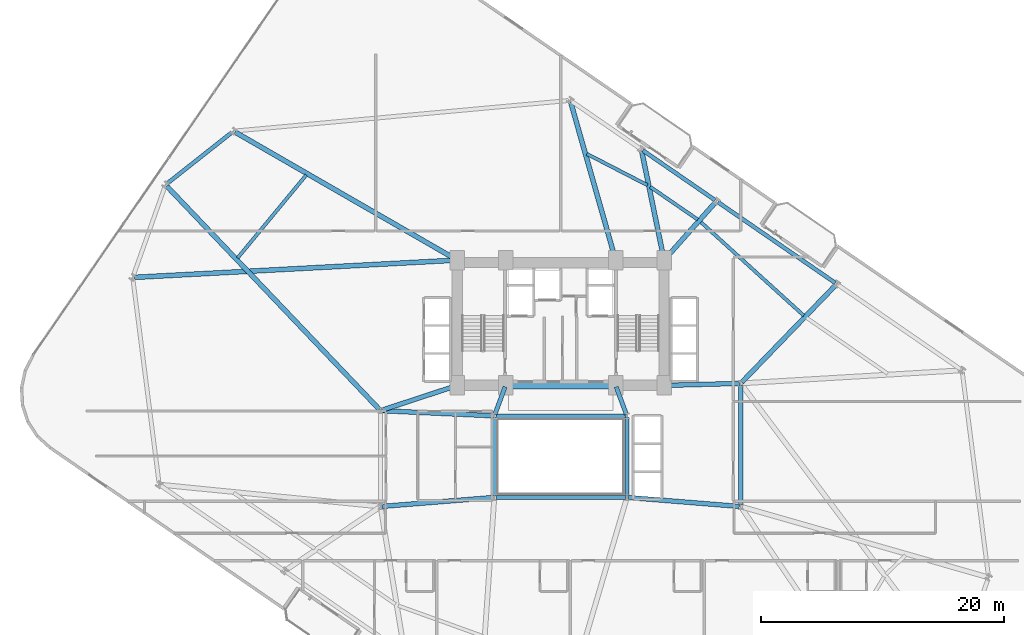
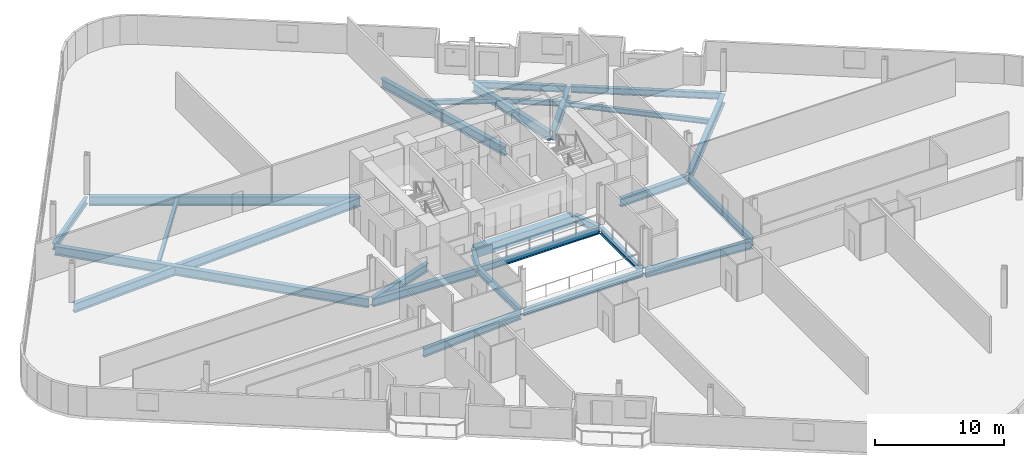
# One storey, part 5 of 24: 27 beams.
"""IFC4 building model written with IfcOpenShell, lengths in metres."""

from ifc_helpers import new_model, si_unit, direction, frame, origin, origin_2d, place, context, subcontext, project, spatial, rectangle, i_section, extrude, material, material_profile, profile_set, type_object, element, save


model = new_model("IFC4")

# Units and contexts
model_context = context("Model", 3, precision=1e-05, world=origin(), true_north=direction((0.0, 1.0)))
body_context = subcontext(model_context, "Body", "Model", "MODEL_VIEW")
ifc_project = project(units=[si_unit("LENGTHUNIT", "METRE"), si_unit("AREAUNIT", "SQUARE_METRE"), si_unit("VOLUMEUNIT", "CUBIC_METRE"), si_unit("PLANEANGLEUNIT", "RADIAN"), si_unit("MASSUNIT", "GRAM", prefix="KILO")], contexts=[model_context])

# Site, building, storey
site_placement = place(None, origin())
site = spatial("IfcSite", under=ifc_project, at=site_placement, CompositionType="ELEMENT")
building_placement = place(site_placement, origin())
building = spatial("IfcBuilding", under=site, at=building_placement, Name="Varnelok Gate Tower", CompositionType="ELEMENT")
storey_placement = place(building_placement, frame((0.0, 0.0, 38.10009765625)))
storey = spatial("IfcBuildingStorey", under=building, at=storey_placement, Name="L08", CompositionType="ELEMENT", Elevation=38.10009765625)

# Beams
ifc_material_1 = material(Name="Structural Steel ASTM A992 Grade 50", Category="steel")
ifc_material_profile_1 = material_profile(ifc_material_1, i_section(OverallWidth=0.280029296875, OverallDepth=0.462890625, WebThickness=0.0107421875, FlangeThickness=0.017333984375, FilletRadius=0.014892578125, at=origin_2d()), Name="W18X76")
ifc_profile_set_1 = profile_set([ifc_material_profile_1], Name="Structural Steel ASTM A992 Grade 50")
beam_type_1 = type_object("IfcBeamType", Name="BM-JST-W18X76", PredefinedType="JOIST", material=ifc_profile_set_1)
beam_1_placement = place(storey_placement, frame((59.18359375, 34.48681640625, -0.481689453125), z_axis=(-0.740168206595, 0.672421761952, 0.0), x_axis=(-0.672421761952, -0.740168206595, 0.0)))
element("IfcBeam", 1, at=beam_1_placement, inside=storey, type_object=beam_type_1, Name="L08 Sector Floor Joist 8", PredefinedType="JOIST", context=body_context, shape_type="SweptSolid", body=[
    extrude(i_section(OverallWidth=0.280029296875, OverallDepth=0.462890625, WebThickness=0.0107421875, FlangeThickness=0.017333984375, FilletRadius=0.014892578125, at=origin_2d()), origin(), (0.0, 0.0, 1.0), 11.474365234375),
])
beam_2_placement = place(storey_placement, frame((50.4716796875, 42.375732421875, -0.481689453125), z_axis=(-0.8235401836, 0.567257936036, 0.0), x_axis=(-0.567257936036, -0.8235401836, 0.0)))
element("IfcBeam", 2, at=beam_2_placement, inside=storey, type_object=beam_type_1, Name="L08 Sector Floor Joist 9", PredefinedType="JOIST", context=body_context, shape_type="SweptSolid", body=[
    extrude(i_section(OverallWidth=0.280029296875, OverallDepth=0.462890625, WebThickness=0.0107421875, FlangeThickness=0.017333984375, FilletRadius=0.014892578125, at=origin_2d()), origin(), (0.0, 0.0, 1.0), 4.7451171875),
])
beam_3_placement = place(storey_placement, frame((46.32421875, 45.211181640625, -0.481689453125), z_axis=(-0.888711678979, 0.458466521837, 0.0), x_axis=(-0.458466521837, -0.888711678979, 0.0)))
element("IfcBeam", 3, at=beam_3_placement, inside=storey, type_object=beam_type_1, Name="L08 Sector Floor Joist 10", PredefinedType="JOIST", context=body_context, shape_type="SweptSolid", body=[
    extrude(i_section(OverallWidth=0.280029296875, OverallDepth=0.462890625, WebThickness=0.0107421875, FlangeThickness=0.017333984375, FilletRadius=0.014892578125, at=origin_2d()), origin(), (0.0, 0.0, 1.0), 5.605712890625),
])
beam_4_placement = place(storey_placement, frame((18.29296875, 46.04248046875, -0.481689453125), z_axis=(-0.637405145463, -0.770528831736, 0.0), x_axis=(0.770528831736, -0.637405145463, 0.0)))
element("IfcBeam", 4, at=beam_4_placement, inside=storey, type_object=beam_type_1, Name="L08 Sector Floor Joist 11", PredefinedType="JOIST", context=body_context, shape_type="SweptSolid", body=[
    extrude(i_section(OverallWidth=0.280029296875, OverallDepth=0.462890625, WebThickness=0.0107421875, FlangeThickness=0.017333984375, FilletRadius=0.014892578125, at=origin_2d()), origin(), (0.0, 0.0, 1.0), 8.8525390625),
])
ifc_material_2 = material(Name="Concrete C60/75", Category="concrete")
ifc_material_profile_2 = material_profile(ifc_material_2, rectangle(XDim=0.60009765625, YDim=0.949951171875, at=origin_2d()), Name="RC950X600")
ifc_profile_set_2 = profile_set([ifc_material_profile_2], Name="Concrete C60/75")
beam_type_2 = type_object("IfcBeamType", Name="BM-LNT-RC950", PredefinedType="LINTEL", material=ifc_profile_set_2)
beam_5_placement = place(storey_placement, frame((34.800048828125, 28.75, -0.72509765625), z_axis=(1.0, 0.0, 0.0), x_axis=(0.0, 1.0, 0.0)))
element("IfcBeam", 5, at=beam_5_placement, inside=storey, type_object=beam_type_2, Name="L08 Core-Atrium Spine Beam 7", PredefinedType="LINTEL", context=body_context, shape_type="SweptSolid", body=[
    extrude(rectangle(XDim=0.60009765625, YDim=0.949951171875, at=origin_2d()), origin(), (0.0, 0.0, 1.0), 8.800048828125),
])
ifc_material_profile_3 = material_profile(ifc_material_1, i_section(OverallWidth=0.35498046875, OverallDepth=0.696044921875, WebThickness=0.015380859375, FlangeThickness=0.02490234375, FilletRadius=0.02001953125, at=origin_2d()), Name="W27X146")
ifc_profile_set_3 = profile_set([ifc_material_profile_3], Name="Structural Steel ASTM A992 Grade 50")
beam_type_3 = type_object("IfcBeamType", Name="BM-PRI-W27X146", PredefinedType="BEAM", material=ifc_profile_set_3)
for number, where, z_axis, x_axis, name in (
    (6, (33.791748046875, 26.362548828125, -0.59814453125), (0.348719329408, 0.937227202602, 0.0), (-0.937227202602, 0.348719329408, 0.0), "L08 Core-Atrium Spine Beam 12"),
    (7, (44.608154296875, 26.362548828125, -0.59814453125), (-0.348719329408, 0.937227202602, 0.0), (-0.937227202602, -0.348719329408, 0.0), "L08 Core-Atrium Spine Beam 13"),
):
    element("IfcBeam", number, at=place(storey_placement, frame(where, z_axis=z_axis, x_axis=x_axis)), inside=storey, type_object=beam_type_3, Name=name, PredefinedType="BEAM", context=body_context, shape_type="SweptSolid", body=[
        extrude(i_section(OverallWidth=0.35498046875, OverallDepth=0.696044921875, WebThickness=0.015380859375, FlangeThickness=0.02490234375, FilletRadius=0.02001953125, at=origin_2d()), origin(), (0.0, 0.0, 1.0), 2.42724609375),
    ])
beam_6_placement = place(storey_placement, frame((54.0, 18.919921875, -0.59814453125), z_axis=(0.0, 1.0, 0.0), x_axis=(-1.0, 0.0, 0.0)))
element("IfcBeam", 8, at=beam_6_placement, inside=storey, type_object=beam_type_3, Name="L08 Core-Atrium Spine Beam 20", PredefinedType="BEAM", context=body_context, shape_type="SweptSolid", body=[
    extrude(i_section(OverallWidth=0.35498046875, OverallDepth=0.696044921875, WebThickness=0.015380859375, FlangeThickness=0.02490234375, FilletRadius=0.02001953125, at=origin_2d()), origin(), (0.0, 0.0, 1.0), 9.880126953125),
])
ifc_material_profile_4 = material_profile(ifc_material_1, i_section(OverallWidth=0.381103515625, OverallDepth=0.77294921875, WebThickness=0.0166015625, FlangeThickness=0.027099609375, FilletRadius=0.02197265625, at=origin_2d()), Name="W30X173")
ifc_profile_set_4 = profile_set([ifc_material_profile_4], Name="Structural Steel ASTM A992 Grade 50")
beam_type_4 = type_object("IfcBeamType", Name="BM-PRI-W30X173", PredefinedType="BEAM", material=ifc_profile_set_4)
beam_7_placement = place(storey_placement, frame((24.51953125, 18.8095703125, -0.63671875), z_axis=(0.996799206292, 0.07994587128, 0.0), x_axis=(-0.07994587128, 0.996799206292, 0.0)))
element("IfcBeam", 9, at=beam_7_placement, inside=storey, type_object=beam_type_4, Name="L08 Core-Atrium Spine Beam 14", PredefinedType="BEAM", context=body_context, shape_type="SweptSolid", body=[
    extrude(i_section(OverallWidth=0.381103515625, OverallDepth=0.77294921875, WebThickness=0.0166015625, FlangeThickness=0.027099609375, FilletRadius=0.02197265625, at=origin_2d()), origin(), (0.0, 0.0, 1.0), 9.14013671875),
])
beam_8_placement = place(storey_placement, frame((24.52001953125, 26.674560546875, -0.63671875), z_axis=(0.99894427814, -0.045938319209, 0.0), x_axis=(0.045938319209, 0.99894427814, 0.0)))
element("IfcBeam", 10, at=beam_8_placement, inside=storey, type_object=beam_type_4, Name="L08 Core-Atrium Spine Beam 15", PredefinedType="BEAM", context=body_context, shape_type="SweptSolid", body=[
    extrude(i_section(OverallWidth=0.381103515625, OverallDepth=0.77294921875, WebThickness=0.0166015625, FlangeThickness=0.027099609375, FilletRadius=0.02197265625, at=origin_2d()), origin(), (0.0, 0.0, 1.0), 9.11962890625),
])
beam_9_placement = place(storey_placement, frame((24.513916015625, 26.717529296875, -0.63671875), z_axis=(0.950041943788, 0.312122259768, 0.0), x_axis=(-0.312122259768, 0.950041943788, 0.0)))
element("IfcBeam", 11, at=beam_9_placement, inside=storey, type_object=beam_type_4, Name="L08 Core-Atrium Spine Beam 17", PredefinedType="BEAM", context=body_context, shape_type="SweptSolid", body=[
    extrude(i_section(OverallWidth=0.381103515625, OverallDepth=0.77294921875, WebThickness=0.0166015625, FlangeThickness=0.027099609375, FilletRadius=0.02197265625, at=origin_2d()), origin(), (0.0, 0.0, 1.0), 6.391357421875),
])
beam_10_placement = place(storey_placement, frame((44.76953125, 19.540283203125, -0.63671875), z_axis=(0.996799206292, -0.07994587128, 0.0), x_axis=(0.07994587128, 0.996799206292, 0.0)))
element("IfcBeam", 12, at=beam_10_placement, inside=storey, type_object=beam_type_4, Name="L08 Core-Atrium Spine Beam 18", PredefinedType="BEAM", context=body_context, shape_type="SweptSolid", body=[
    extrude(i_section(OverallWidth=0.381103515625, OverallDepth=0.77294921875, WebThickness=0.0166015625, FlangeThickness=0.027099609375, FilletRadius=0.02197265625, at=origin_2d()), origin(), (0.0, 0.0, 1.0), 9.14013671875),
])
beam_11_placement = place(storey_placement, frame((47.820068359375, 28.753173828125, -0.63671875), z_axis=(0.999635880609, 0.026983443053, 0.0), x_axis=(-0.026983443053, 0.999635880609, 0.0)))
element("IfcBeam", 13, at=beam_11_placement, inside=storey, type_object=beam_type_4, Name="L08 Core-Atrium Spine Beam 19", PredefinedType="BEAM", context=body_context, shape_type="SweptSolid", body=[
    extrude(i_section(OverallWidth=0.381103515625, OverallDepth=0.77294921875, WebThickness=0.0166015625, FlangeThickness=0.027099609375, FilletRadius=0.02197265625, at=origin_2d()), origin(), (0.0, 0.0, 1.0), 6.06201171875),
])
ifc_material_profile_5 = material_profile(ifc_material_1, i_section(OverallWidth=0.39892578125, OverallDepth=0.85498046875, WebThickness=0.018310546875, FlangeThickness=0.029296875, FilletRadius=0.02392578125, at=origin_2d()), Name="W33X201")
ifc_profile_set_5 = profile_set([ifc_material_profile_5], Name="Structural Steel ASTM A992 Grade 50")
beam_type_5 = type_object("IfcBeamType", Name="BM-PRI-W33X201", PredefinedType="BEAM", material=ifc_profile_set_5)
beam_12_placement = place(storey_placement, frame((54.104248046875, 29.02783203125, -0.677490234375), z_axis=(0.694813956558, 0.719189520066, 0.0), x_axis=(-0.719189520066, 0.694813956558, 0.0)))
element("IfcBeam", 14, at=beam_12_placement, inside=storey, type_object=beam_type_5, Name="L08 Radial Floor Girder 10", PredefinedType="BEAM", context=body_context, shape_type="SweptSolid", body=[
    extrude(i_section(OverallWidth=0.39892578125, OverallDepth=0.85498046875, WebThickness=0.018310546875, FlangeThickness=0.029296875, FilletRadius=0.02392578125, at=origin_2d()), origin(), (0.0, 0.0, 1.0), 11.057373046875),
])
beam_13_placement = place(storey_placement, frame((47.7998046875, 39.162109375, -0.677490234375), z_axis=(0.664520653518, 0.747269898395, 0.0), x_axis=(-0.747269898395, 0.664520653518, 0.0)))
element("IfcBeam", 15, at=beam_13_placement, inside=storey, type_object=beam_type_5, Name="L08 Radial Floor Girder 11", PredefinedType="BEAM", context=body_context, shape_type="SweptSolid", body=[
    extrude(i_section(OverallWidth=0.39892578125, OverallDepth=0.85498046875, WebThickness=0.018310546875, FlangeThickness=0.029296875, FilletRadius=0.02392578125, at=origin_2d()), origin(), (0.0, 0.0, 1.0), 6.18408203125),
])
beam_14_placement = place(storey_placement, frame((47.669921875, 39.197021484375, -0.677490234375), z_axis=(-0.201054404261, 0.979580076628, 0.0), x_axis=(-0.979580076628, -0.201054404261, 0.0)))
element("IfcBeam", 16, at=beam_14_placement, inside=storey, type_object=beam_type_5, Name="L08 Radial Floor Girder 12", PredefinedType="BEAM", context=body_context, shape_type="SweptSolid", body=[
    extrude(i_section(OverallWidth=0.39892578125, OverallDepth=0.85498046875, WebThickness=0.018310546875, FlangeThickness=0.029296875, FilletRadius=0.02392578125, at=origin_2d()), origin(), (0.0, 0.0, 1.0), 8.989501953125),
])
beam_15_placement = place(storey_placement, frame((43.678955078125, 39.1943359375, -0.677490234375), z_axis=(-0.273636323057, 0.961833230193, 0.0), x_axis=(-0.961833230193, -0.273636323057, 0.0)))
element("IfcBeam", 17, at=beam_15_placement, inside=storey, type_object=beam_type_5, Name="L08 Radial Floor Girder 13", PredefinedType="BEAM", context=body_context, shape_type="SweptSolid", body=[
    extrude(i_section(OverallWidth=0.39892578125, OverallDepth=0.85498046875, WebThickness=0.018310546875, FlangeThickness=0.029296875, FilletRadius=0.02392578125, at=origin_2d()), origin(), (0.0, 0.0, 1.0), 13.348388671875),
])
beam_16_placement = place(storey_placement, frame((30.570068359375, 39.125, -0.677490234375), z_axis=(-0.866373398512, 0.499396770465, 0.0), x_axis=(-0.499396770465, -0.866373398512, 0.0)))
element("IfcBeam", 18, at=beam_16_placement, inside=storey, type_object=beam_type_5, Name="L08 Radial Floor Girder 14", PredefinedType="BEAM", context=body_context, shape_type="SweptSolid", body=[
    extrude(i_section(OverallWidth=0.39892578125, OverallDepth=0.85498046875, WebThickness=0.018310546875, FlangeThickness=0.029296875, FilletRadius=0.02392578125, at=origin_2d()), origin(), (0.0, 0.0, 1.0), 20.920166015625),
])
beam_17_placement = place(storey_placement, frame((24.296630859375, 26.78857421875, -0.677490234375), z_axis=(-0.68957548794, 0.72421381265, 0.0), x_axis=(-0.72421381265, -0.68957548794, 0.0)))
element("IfcBeam", 19, at=beam_17_placement, inside=storey, type_object=beam_type_5, Name="L08 Radial Floor Girder 15", PredefinedType="BEAM", context=body_context, shape_type="SweptSolid", body=[
    extrude(i_section(OverallWidth=0.39892578125, OverallDepth=0.85498046875, WebThickness=0.018310546875, FlangeThickness=0.029296875, FilletRadius=0.02392578125, at=origin_2d()), origin(), (0.0, 0.0, 1.0), 25.324462890625),
])
beam_18_placement = place(storey_placement, frame((30.55029296875, 39.0419921875, -0.677490234375), z_axis=(-0.998572952572, -0.053404666383, 0.0), x_axis=(0.053404666383, -0.998572952572, 0.0)))
element("IfcBeam", 20, at=beam_18_placement, inside=storey, type_object=beam_type_5, Name="L08 Radial Floor Girder 16", PredefinedType="BEAM", context=body_context, shape_type="SweptSolid", body=[
    extrude(i_section(OverallWidth=0.39892578125, OverallDepth=0.85498046875, WebThickness=0.018310546875, FlangeThickness=0.029296875, FilletRadius=0.02392578125, at=origin_2d()), origin(), (0.0, 0.0, 1.0), 26.405029296875),
])
ifc_material_profile_6 = material_profile(ifc_material_1, i_section(OverallWidth=0.323974609375, OverallDepth=0.611083984375, WebThickness=0.0126953125, FlangeThickness=0.01904296875, FilletRadius=0.01806640625, at=origin_2d()), Name="W24X104")
ifc_profile_set_6 = profile_set([ifc_material_profile_6], Name="Structural Steel ASTM A992 Grade 50")
beam_type_6 = type_object("IfcBeamType", Name="BM-SPN-W24X104", PredefinedType="SPANDREL", material=ifc_profile_set_6)
for number, where, z_axis, x_axis, name in (
    (21, (33.8701171875, 19.550048828125, -0.5556640625), (1.0, 0.0, 0.0), (0.0, 1.0, 0.0), "L08 Core-Atrium Spine Beam 8"),
    (22, (33.8701171875, 26.25, -0.5556640625), (1.0, 0.0, 0.0), (0.0, 1.0, 0.0), "L08 Core-Atrium Spine Beam 9"),
):
    element("IfcBeam", number, at=place(storey_placement, frame(where, z_axis=z_axis, x_axis=x_axis)), inside=storey, type_object=beam_type_6, Name=name, PredefinedType="SPANDREL", context=body_context, shape_type="SweptSolid", body=[
        extrude(i_section(OverallWidth=0.323974609375, OverallDepth=0.611083984375, WebThickness=0.0126953125, FlangeThickness=0.01904296875, FilletRadius=0.01806640625, at=origin_2d()), origin(), (0.0, 0.0, 1.0), 10.659912109375),
    ])
for number, where, z_axis, x_axis, name in (
    (23, (33.75, 19.669921875, -0.5556640625), (0.0, 1.0, 0.0), (-1.0, 0.0, 0.0), "L08 Core-Atrium Spine Beam 10"),
    (24, (44.64990234375, 19.669921875, -0.5556640625), (0.0, 1.0, 0.0), (-1.0, 0.0, 0.0), "L08 Core-Atrium Spine Beam 11"),
):
    element("IfcBeam", number, at=place(storey_placement, frame(where, z_axis=z_axis, x_axis=x_axis)), inside=storey, type_object=beam_type_6, Name=name, PredefinedType="SPANDREL", context=body_context, shape_type="SweptSolid", body=[
        extrude(i_section(OverallWidth=0.323974609375, OverallDepth=0.611083984375, WebThickness=0.0126953125, FlangeThickness=0.01904296875, FilletRadius=0.01806640625, at=origin_2d()), origin(), (0.0, 0.0, 1.0), 6.4599609375),
    ])
beam_19_placement = place(storey_placement, frame((61.767822265625, 37.173095703125, -0.5556640625), z_axis=(-0.82353077968, 0.567271588324, 0.0), x_axis=(-0.567271588324, -0.82353077968, 0.0)))
element("IfcBeam", 25, at=beam_19_placement, inside=storey, type_object=beam_type_6, Name="L08 Perimeter Spandrel Beam 10", PredefinedType="SPANDREL", context=body_context, shape_type="SweptSolid", body=[
    extrude(i_section(OverallWidth=0.323974609375, OverallDepth=0.611083984375, WebThickness=0.0126953125, FlangeThickness=0.01904296875, FilletRadius=0.01806640625, at=origin_2d()), origin(), (0.0, 0.0, 1.0), 11.7001953125),
])
beam_20_placement = place(storey_placement, frame((51.885498046875, 43.98046875, -0.5556640625), z_axis=(-0.823550897395, 0.567242381527, 0.0), x_axis=(-0.567242381527, -0.823550897395, 0.0)))
element("IfcBeam", 26, at=beam_20_placement, inside=storey, type_object=beam_type_6, Name="L08 Perimeter Spandrel Beam 11", PredefinedType="SPANDREL", context=body_context, shape_type="SweptSolid", body=[
    extrude(i_section(OverallWidth=0.323974609375, OverallDepth=0.611083984375, WebThickness=0.0126953125, FlangeThickness=0.01904296875, FilletRadius=0.01806640625, at=origin_2d()), origin(), (0.0, 0.0, 1.0), 7.2001953125),
])
beam_21_placement = place(storey_placement, frame((12.197509765625, 49.554443359375, -0.5556640625), z_axis=(-0.784860761341, -0.619672159538, 0.0), x_axis=(0.619672159538, -0.784860761341, 0.0)))
element("IfcBeam", 27, at=beam_21_placement, inside=storey, type_object=beam_type_6, Name="L08 Perimeter Spandrel Beam 14", PredefinedType="SPANDREL", context=body_context, shape_type="SweptSolid", body=[
    extrude(i_section(OverallWidth=0.323974609375, OverallDepth=0.611083984375, WebThickness=0.0126953125, FlangeThickness=0.01904296875, FilletRadius=0.01806640625, at=origin_2d()), origin(), (0.0, 0.0, 1.0), 6.81640625),
])

save(model, "model.ifc")
